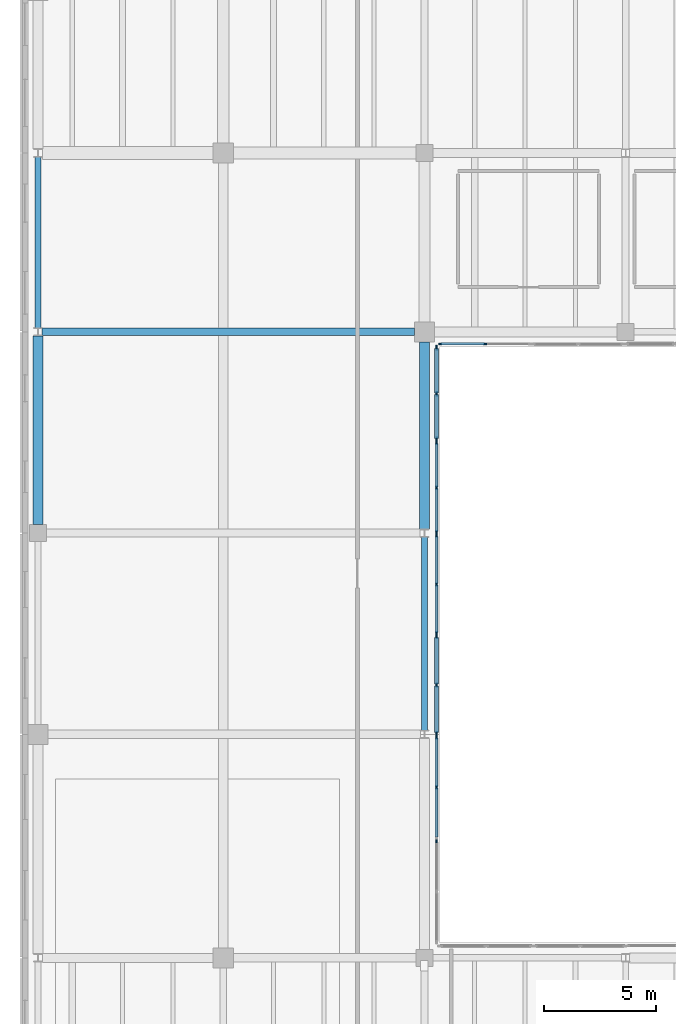
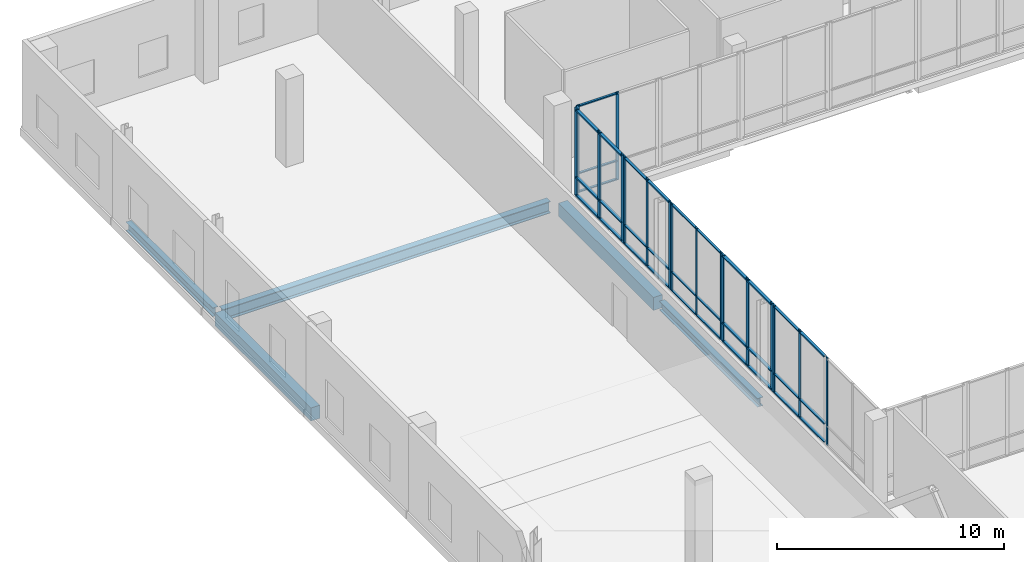
# One storey, part 29 of 73: 50 members, 5 beams, 7 elements without a shape of their own.
"""IFC4 building model written with IfcOpenShell, lengths in metres."""

from ifc_helpers import new_model, si_unit, direction, frame, origin, origin_2d, place, context, subcontext, project, spatial, rectangle, i_section, extrude, material, material_profile, profile_set, type_object, element, aggregate, save


model = new_model("IFC4")

# Units and contexts
model_context = context("Model", 3, precision=1e-05, world=origin(), true_north=direction((0.0, 1.0)))
body_context = subcontext(model_context, "Body", "Model", "MODEL_VIEW")
ifc_project = project(units=[si_unit("LENGTHUNIT", "METRE"), si_unit("AREAUNIT", "SQUARE_METRE"), si_unit("VOLUMEUNIT", "CUBIC_METRE"), si_unit("PLANEANGLEUNIT", "RADIAN"), si_unit("MASSUNIT", "GRAM", prefix="KILO")], contexts=[model_context])

# Site, building, storey
site_placement = place(None, origin())
site = spatial("IfcSite", under=ifc_project, at=site_placement, CompositionType="ELEMENT")
building_placement = place(site_placement, origin())
building = spatial("IfcBuilding", under=site, at=building_placement, Name="Trimount Lyric Opera House", CompositionType="ELEMENT")
storey_placement = place(building_placement, frame((0.0, 0.0, 10.0)))
storey = spatial("IfcBuildingStorey", under=building, at=storey_placement, Name="L02", CompositionType="ELEMENT", Elevation=10.0)

# Beam
ifc_material_1 = material(Name="Steel ASTM A992 Grade 50", Category="steel")
ifc_material_profile_1 = material_profile(ifc_material_1, i_section(OverallWidth=0.327880859375, OverallDepth=0.626953125, WebThickness=0.0166015625, FlangeThickness=0.027587890625, FilletRadius=0.01611328125, at=origin_2d()), Name="W24X146")
ifc_profile_set_1 = profile_set([ifc_material_profile_1], Name="Steel ASTM A992 Grade 50")
beam_type_1 = type_object("IfcBeamType", Name="B-10", PredefinedType="BEAM", material=ifc_profile_set_1)
beam_1_placement = place(storey_placement, frame((0.904052734375, 102.0, -0.593505859375), z_axis=(1.0, 0.0, 0.0), x_axis=(0.0, 1.0, 0.0)))
element("IfcBeam", 1, at=beam_1_placement, inside=storey, type_object=beam_type_1, Name="L02 girder X-0788", PredefinedType="BEAM", context=body_context, shape_type="SweptSolid", body=[
    extrude(i_section(OverallWidth=0.327880859375, OverallDepth=0.626953125, WebThickness=0.0166015625, FlangeThickness=0.027587890625, FilletRadius=0.01611328125, at=origin_2d()), origin(), (0.0, 0.0, 1.0), 16.64599609375),
])

# Curtain wall, members
ifc_material_2 = material(Name="Thermally Broken Aluminium and Low-E Glass", Category="aluminium")
curtain_wall_type = type_object("IfcCurtainWallType", Name="CW-03", PredefinedType="NOTDEFINED", material=ifc_material_2)
curtain_wall_1_placement = place(storey_placement, origin())
curtain_wall_1 = element("IfcCurtainWall", 2, at=curtain_wall_1_placement, inside=storey, type_object=curtain_wall_type, Name="L02 curtain wall 216", PredefinedType="NOTDEFINED")
ifc_material_3 = material(Name="Anodised Aluminium 6063-T6", Category="aluminium")
ifc_material_profile_2 = material_profile(ifc_material_3, rectangle(XDim=0.070068359375, YDim=0.219970703125, at=origin_2d()), Name="ALU-MULL-70X220")
ifc_profile_set_2 = profile_set([ifc_material_profile_2], Name="Anodised Aluminium 6063-T6")
member_type_1 = type_object("IfcMemberType", Name="ML-01", PredefinedType="MULLION", material=ifc_profile_set_2)
member_1_placement = place(storey_placement, frame((18.5400390625, 101.284912109375, 0.0), z_axis=(0.0, 0.0, 1.0), x_axis=(1.0, 0.0, 0.0)))
member_1 = element("IfcMember", 3, at=member_1_placement, type_object=member_type_1, Name="CW-03 mullion 1", PredefinedType="MULLION", context=body_context, shape_type="SweptSolid", body=[
    extrude(rectangle(XDim=0.070068359375, YDim=0.219970703125, at=origin_2d()), origin(), (0.0, 0.0, 1.0), 4.719970703125),
])
member_2_placement = place(storey_placement, frame((18.5400390625, 99.239990234375, 0.0), z_axis=(0.0, 0.0, 1.0), x_axis=(1.0, 0.0, 0.0)))
member_2 = element("IfcMember", 4, at=member_2_placement, type_object=member_type_1, Name="CW-03 mullion 2", PredefinedType="MULLION", context=body_context, shape_type="SweptSolid", body=[
    extrude(rectangle(XDim=0.070068359375, YDim=0.219970703125, at=origin_2d()), origin(), (0.0, 0.0, 1.0), 4.719970703125),
])
member_3_placement = place(storey_placement, frame((18.5400390625, 97.195068359375, 0.0), z_axis=(0.0, 0.0, 1.0), x_axis=(1.0, 0.0, 0.0)))
member_3 = element("IfcMember", 5, at=member_3_placement, type_object=member_type_1, Name="CW-03 mullion 3", PredefinedType="MULLION", context=body_context, shape_type="SweptSolid", body=[
    extrude(rectangle(XDim=0.070068359375, YDim=0.219970703125, at=origin_2d()), origin(), (0.0, 0.0, 1.0), 4.719970703125),
])

curtain_wall_2_placement = place(storey_placement, origin())
curtain_wall_2 = element("IfcCurtainWall", 6, at=curtain_wall_2_placement, inside=storey, type_object=curtain_wall_type, Name="L02 curtain wall 219", PredefinedType="NOTDEFINED")
member_4_placement = place(storey_placement, frame((18.5400390625, 88.375, 0.0), z_axis=(0.0, 0.0, 1.0), x_axis=(1.0, 0.0, 0.0)))
member_4 = element("IfcMember", 7, at=member_4_placement, type_object=member_type_1, Name="CW-03 mullion 1", PredefinedType="MULLION", context=body_context, shape_type="SweptSolid", body=[
    extrude(rectangle(XDim=0.070068359375, YDim=0.219970703125, at=origin_2d()), origin(), (0.0, 0.0, 1.0), 4.719970703125),
])
member_5_placement = place(storey_placement, frame((18.5400390625, 86.205078125, 0.0), z_axis=(0.0, 0.0, 1.0), x_axis=(1.0, 0.0, 0.0)))
member_5 = element("IfcMember", 8, at=member_5_placement, type_object=member_type_1, Name="CW-03 mullion 2", PredefinedType="MULLION", context=body_context, shape_type="SweptSolid", body=[
    extrude(rectangle(XDim=0.070068359375, YDim=0.219970703125, at=origin_2d()), origin(), (0.0, 0.0, 1.0), 4.719970703125),
])
member_6_placement = place(storey_placement, frame((18.5400390625, 84.034912109375, 0.0), z_axis=(0.0, 0.0, 1.0), x_axis=(1.0, 0.0, 0.0)))
member_6 = element("IfcMember", 9, at=member_6_placement, type_object=member_type_1, Name="CW-03 mullion 3", PredefinedType="MULLION", context=body_context, shape_type="SweptSolid", body=[
    extrude(rectangle(XDim=0.070068359375, YDim=0.219970703125, at=origin_2d()), origin(), (0.0, 0.0, 1.0), 4.719970703125),
])

curtain_wall_3_placement = place(storey_placement, origin())
curtain_wall_3 = element("IfcCurtainWall", 10, at=curtain_wall_3_placement, inside=storey, type_object=curtain_wall_type, Name="L02 curtain wall 217", PredefinedType="NOTDEFINED")
ifc_material_4 = material(Name="Anodised Aluminium 6063-T6", Category="aluminium")
ifc_material_profile_3 = material_profile(ifc_material_4, rectangle(XDim=0.06494140625, YDim=0.179931640625, at=origin_2d()), Name="ALU-MULL-65X180")
ifc_profile_set_3 = profile_set([ifc_material_profile_3], Name="Anodised Aluminium 6063-T6")
member_type_2 = type_object("IfcMemberType", Name="ML-02", PredefinedType="MULLION", material=ifc_profile_set_3)
member_7_placement = place(storey_placement, frame((18.5400390625, 97.03759765625, 0.0), z_axis=(0.0, 0.0, 1.0), x_axis=(1.0, 0.0, 0.0)))
member_7 = element("IfcMember", 11, at=member_7_placement, type_object=member_type_2, Name="CW-03 mullion 1", PredefinedType="MULLION", context=body_context, shape_type="SweptSolid", body=[
    extrude(rectangle(XDim=0.06494140625, YDim=0.179931640625, at=origin_2d()), origin(), (0.0, 0.0, 1.0), 4.719970703125),
])
member_8_placement = place(storey_placement, frame((18.5400390625, 95.034912109375, 0.0), z_axis=(0.0, 0.0, 1.0), x_axis=(1.0, 0.0, 0.0)))
member_8 = element("IfcMember", 12, at=member_8_placement, type_object=member_type_2, Name="CW-03 mullion 2", PredefinedType="MULLION", context=body_context, shape_type="SweptSolid", body=[
    extrude(rectangle(XDim=0.06494140625, YDim=0.179931640625, at=origin_2d()), origin(), (0.0, 0.0, 1.0), 4.719970703125),
])
member_9_placement = place(storey_placement, frame((18.5400390625, 93.032470703125, 0.0), z_axis=(0.0, 0.0, 1.0), x_axis=(1.0, 0.0, 0.0)))
member_9 = element("IfcMember", 13, at=member_9_placement, type_object=member_type_2, Name="CW-03 mullion 3", PredefinedType="MULLION", context=body_context, shape_type="SweptSolid", body=[
    extrude(rectangle(XDim=0.06494140625, YDim=0.179931640625, at=origin_2d()), origin(), (0.0, 0.0, 1.0), 4.719970703125),
])

curtain_wall_4_placement = place(storey_placement, origin())
curtain_wall_4 = element("IfcCurtainWall", 14, at=curtain_wall_4_placement, inside=storey, type_object=curtain_wall_type, Name="L02 curtain wall 220", PredefinedType="NOTDEFINED")
member_10_placement = place(storey_placement, frame((18.5400390625, 83.87744140625, 0.0), z_axis=(0.0, 0.0, 1.0), x_axis=(1.0, 0.0, 0.0)))
member_10 = element("IfcMember", 15, at=member_10_placement, type_object=member_type_2, Name="CW-03 mullion 1", PredefinedType="MULLION", context=body_context, shape_type="SweptSolid", body=[
    extrude(rectangle(XDim=0.06494140625, YDim=0.179931640625, at=origin_2d()), origin(), (0.0, 0.0, 1.0), 4.719970703125),
])
member_11_placement = place(storey_placement, frame((18.5400390625, 81.625, 0.0), z_axis=(0.0, 0.0, 1.0), x_axis=(1.0, 0.0, 0.0)))
member_11 = element("IfcMember", 16, at=member_11_placement, type_object=member_type_2, Name="CW-03 mullion 2", PredefinedType="MULLION", context=body_context, shape_type="SweptSolid", body=[
    extrude(rectangle(XDim=0.06494140625, YDim=0.179931640625, at=origin_2d()), origin(), (0.0, 0.0, 1.0), 4.719970703125),
])

curtain_wall_5_placement = place(storey_placement, origin())
curtain_wall_5 = element("IfcCurtainWall", 17, at=curtain_wall_5_placement, inside=storey, type_object=curtain_wall_type, Name="L02 curtain wall 215", PredefinedType="NOTDEFINED")
ifc_material_5 = material(Name="Anodised Aluminium 6063-T6", Category="aluminium")
ifc_material_profile_4 = material_profile(ifc_material_5, rectangle(XDim=0.06005859375, YDim=0.14990234375, at=origin_2d()), Name="ALU-MULL-60X150")
ifc_profile_set_4 = profile_set([ifc_material_profile_4], Name="Anodised Aluminium 6063-T6")
member_type_3 = type_object("IfcMemberType", Name="ML-03", PredefinedType="MULLION", material=ifc_profile_set_4)
member_12_placement = place(storey_placement, frame((20.715087890625, 101.4599609375, 0.0), z_axis=(0.0, 0.0, 1.0), x_axis=(0.0, -1.0, 0.0)))
member_12 = element("IfcMember", 18, at=member_12_placement, type_object=member_type_3, Name="CW-03 mullion 2", PredefinedType="MULLION", context=body_context, shape_type="SweptSolid", body=[
    extrude(rectangle(XDim=0.06005859375, YDim=0.14990234375, at=origin_2d()), origin(), (0.0, 0.0, 1.0), 4.719970703125),
])
member_13_placement = place(storey_placement, frame((18.7099609375, 101.4599609375, 0.0), z_axis=(0.0, 0.0, 1.0), x_axis=(0.0, -1.0, 0.0)))
member_13 = element("IfcMember", 19, at=member_13_placement, type_object=member_type_3, Name="CW-03 mullion 3", PredefinedType="MULLION", context=body_context, shape_type="SweptSolid", body=[
    extrude(rectangle(XDim=0.06005859375, YDim=0.14990234375, at=origin_2d()), origin(), (0.0, 0.0, 1.0), 4.719970703125),
])

curtain_wall_6_placement = place(storey_placement, origin())
curtain_wall_6 = element("IfcCurtainWall", 20, at=curtain_wall_6_placement, inside=storey, type_object=curtain_wall_type, Name="L02 curtain wall 218", PredefinedType="NOTDEFINED")
member_14_placement = place(storey_placement, frame((18.5400390625, 92.8798828125, 0.0), z_axis=(0.0, 0.0, 1.0), x_axis=(1.0, 0.0, 0.0)))
member_14 = element("IfcMember", 21, at=member_14_placement, type_object=member_type_3, Name="CW-03 mullion 1", PredefinedType="MULLION", context=body_context, shape_type="SweptSolid", body=[
    extrude(rectangle(XDim=0.06005859375, YDim=0.14990234375, at=origin_2d()), origin(), (0.0, 0.0, 1.0), 4.719970703125),
])
member_15_placement = place(storey_placement, frame((18.5400390625, 90.705078125, 0.0), z_axis=(0.0, 0.0, 1.0), x_axis=(1.0, 0.0, 0.0)))
member_15 = element("IfcMember", 22, at=member_15_placement, type_object=member_type_3, Name="CW-03 mullion 2", PredefinedType="MULLION", context=body_context, shape_type="SweptSolid", body=[
    extrude(rectangle(XDim=0.06005859375, YDim=0.14990234375, at=origin_2d()), origin(), (0.0, 0.0, 1.0), 4.719970703125),
])
member_16_placement = place(storey_placement, frame((18.5400390625, 88.530029296875, 0.0), z_axis=(0.0, 0.0, 1.0), x_axis=(1.0, 0.0, 0.0)))
member_16 = element("IfcMember", 23, at=member_16_placement, type_object=member_type_3, Name="CW-03 mullion 3", PredefinedType="MULLION", context=body_context, shape_type="SweptSolid", body=[
    extrude(rectangle(XDim=0.06005859375, YDim=0.14990234375, at=origin_2d()), origin(), (0.0, 0.0, 1.0), 4.719970703125),
])

# Curtain wall, member
curtain_wall_7_placement = place(storey_placement, origin())
curtain_wall_7 = element("IfcCurtainWall", 24, at=curtain_wall_7_placement, inside=storey, type_object=curtain_wall_type, Name="L02 curtain wall 221", PredefinedType="NOTDEFINED")
member_17_placement = place(storey_placement, frame((18.5400390625, 79.219970703125, 0.0), z_axis=(0.0, 0.0, 1.0), x_axis=(1.0, 0.0, 0.0)))
member_17 = element("IfcMember", 25, at=member_17_placement, type_object=member_type_3, Name="CW-03 mullion 1", PredefinedType="MULLION", context=body_context, shape_type="SweptSolid", body=[
    extrude(rectangle(XDim=0.06005859375, YDim=0.14990234375, at=origin_2d()), origin(), (0.0, 0.0, 1.0), 4.719970703125),
])
aggregate(curtain_wall_7, [member_17])

# Beams
ifc_material_6 = material(Name="Steel ASTM A992 Grade 50", Category="steel")
ifc_material_profile_5 = material_profile(ifc_material_6, i_section(OverallWidth=0.281982421875, OverallDepth=0.467041015625, WebThickness=0.01220703125, FlangeThickness=0.01953125, FilletRadius=0.012939453125, at=origin_2d()), Name="W18X86")
ifc_profile_set_5 = profile_set([ifc_material_profile_5], Name="Steel ASTM A992 Grade 50")
beam_type_2 = type_object("IfcBeamType", Name="SP-01", PredefinedType="SPANDREL", material=ifc_profile_set_5)
beam_2_placement = place(storey_placement, frame((0.719970703125, 102.177978515625, -0.513427734375), z_axis=(0.0, 1.0, 0.0), x_axis=(-1.0, 0.0, 0.0)))
element("IfcBeam", 26, at=beam_2_placement, inside=storey, type_object=beam_type_2, Name="L02 girder Y-0833", PredefinedType="SPANDREL", context=body_context, shape_type="SweptSolid", body=[
    extrude(i_section(OverallWidth=0.281982421875, OverallDepth=0.467041015625, WebThickness=0.01220703125, FlangeThickness=0.01953125, FilletRadius=0.012939453125, at=origin_2d()), origin(), (0.0, 0.0, 1.0), 7.637939453125),
])
beam_3_placement = place(storey_placement, frame((18.0, 84.177978515625, -0.513427734375), z_axis=(0.0, 1.0, 0.0), x_axis=(-1.0, 0.0, 0.0)))
element("IfcBeam", 27, at=beam_3_placement, inside=storey, type_object=beam_type_2, Name="L02 girder Y-0841", PredefinedType="SPANDREL", context=body_context, shape_type="SweptSolid", body=[
    extrude(i_section(OverallWidth=0.281982421875, OverallDepth=0.467041015625, WebThickness=0.01220703125, FlangeThickness=0.01953125, FilletRadius=0.012939453125, at=origin_2d()), origin(), (0.0, 0.0, 1.0), 8.637939453125),
])
ifc_material_7 = material(Name="Concrete C40/50", Category="concrete")
ifc_material_profile_6 = material_profile(ifc_material_7, rectangle(XDim=0.449951171875, YDim=0.699951171875, at=origin_2d()), Name="RC450X700")
ifc_profile_set_6 = profile_set([ifc_material_profile_6], Name="Concrete C40/50")
beam_type_3 = type_object("IfcBeamType", Name="SP-02", PredefinedType="SPANDREL", material=ifc_profile_set_6)
beam_4_placement = place(storey_placement, frame((0.719970703125, 93.375, -0.6298828125), z_axis=(0.0, 1.0, 0.0), x_axis=(-1.0, 0.0, 0.0)))
element("IfcBeam", 28, at=beam_4_placement, inside=storey, type_object=beam_type_3, Name="L02 girder Y-0832", PredefinedType="SPANDREL", context=body_context, shape_type="SweptSolid", body=[
    extrude(rectangle(XDim=0.449951171875, YDim=0.699951171875, at=origin_2d()), origin(), (0.0, 0.0, 1.0), 8.447021484375),
])
beam_5_placement = place(storey_placement, frame((18.0, 93.18408203125, -0.6298828125), z_axis=(0.0, 1.0, 0.0), x_axis=(-1.0, 0.0, 0.0)))
element("IfcBeam", 29, at=beam_5_placement, inside=storey, type_object=beam_type_3, Name="L02 girder Y-0842", PredefinedType="SPANDREL", context=body_context, shape_type="SweptSolid", body=[
    extrude(rectangle(XDim=0.449951171875, YDim=0.699951171875, at=origin_2d()), origin(), (0.0, 0.0, 1.0), 8.365966796875),
])

# Member
ifc_material_8 = material(Name="Anodised Aluminium 6063-T6", Category="aluminium")
ifc_material_profile_7 = material_profile(ifc_material_8, rectangle(XDim=0.159912109375, YDim=0.070068359375, at=origin_2d()), Name="ALU-TRAN-70X160")
ifc_profile_set_7 = profile_set([ifc_material_profile_7], Name="Anodised Aluminium 6063-T6")
member_type_4 = type_object("IfcMemberType", Name="TR-01", PredefinedType="USERDEFINED", material=ifc_profile_set_7)
member_18_placement = place(storey_placement, frame((18.5400390625, 101.25, 0.080078125), z_axis=(0.0, -1.0, 0.0), x_axis=(1.0, 0.0, 0.0)))
member_18 = element("IfcMember", 30, at=member_18_placement, type_object=member_type_4, Name="CW-03 transom 1.1", ObjectType="TRANSOM", PredefinedType="USERDEFINED", context=body_context, shape_type="SweptSolid", body=[
    extrude(rectangle(XDim=0.159912109375, YDim=0.070068359375, at=origin_2d()), origin(), (0.0, 0.0, 1.0), 1.97509765625),
])

member_19_placement = place(storey_placement, frame((18.5400390625, 101.25, 1.050048828125), z_axis=(0.0, -1.0, 0.0), x_axis=(1.0, 0.0, 0.0)))
member_19 = element("IfcMember", 31, at=member_19_placement, type_object=member_type_4, Name="CW-03 transom 1.2", ObjectType="TRANSOM", PredefinedType="USERDEFINED", context=body_context, shape_type="SweptSolid", body=[
    extrude(rectangle(XDim=0.159912109375, YDim=0.070068359375, at=origin_2d()), origin(), (0.0, 0.0, 1.0), 1.97509765625),
])

member_20_placement = place(storey_placement, frame((18.5400390625, 101.25, 4.639892578125), z_axis=(0.0, -1.0, 0.0), x_axis=(1.0, 0.0, 0.0)))
member_20 = element("IfcMember", 32, at=member_20_placement, type_object=member_type_4, Name="CW-03 transom 1.3", ObjectType="TRANSOM", PredefinedType="USERDEFINED", context=body_context, shape_type="SweptSolid", body=[
    extrude(rectangle(XDim=0.159912109375, YDim=0.070068359375, at=origin_2d()), origin(), (0.0, 0.0, 1.0), 1.97509765625),
])

member_21_placement = place(storey_placement, frame((18.5400390625, 99.205078125, 0.080078125), z_axis=(0.0, -1.0, 0.0), x_axis=(1.0, 0.0, 0.0)))
member_21 = element("IfcMember", 33, at=member_21_placement, type_object=member_type_4, Name="CW-03 transom 2.1", ObjectType="TRANSOM", PredefinedType="USERDEFINED", context=body_context, shape_type="SweptSolid", body=[
    extrude(rectangle(XDim=0.159912109375, YDim=0.070068359375, at=origin_2d()), origin(), (0.0, 0.0, 1.0), 1.97509765625),
])

member_22_placement = place(storey_placement, frame((18.5400390625, 99.205078125, 1.050048828125), z_axis=(0.0, -1.0, 0.0), x_axis=(1.0, 0.0, 0.0)))
member_22 = element("IfcMember", 34, at=member_22_placement, type_object=member_type_4, Name="CW-03 transom 2.2", ObjectType="TRANSOM", PredefinedType="USERDEFINED", context=body_context, shape_type="SweptSolid", body=[
    extrude(rectangle(XDim=0.159912109375, YDim=0.070068359375, at=origin_2d()), origin(), (0.0, 0.0, 1.0), 1.97509765625),
])

member_23_placement = place(storey_placement, frame((18.5400390625, 99.205078125, 4.639892578125), z_axis=(0.0, -1.0, 0.0), x_axis=(1.0, 0.0, 0.0)))
member_23 = element("IfcMember", 35, at=member_23_placement, type_object=member_type_4, Name="CW-03 transom 2.3", ObjectType="TRANSOM", PredefinedType="USERDEFINED", context=body_context, shape_type="SweptSolid", body=[
    extrude(rectangle(XDim=0.159912109375, YDim=0.070068359375, at=origin_2d()), origin(), (0.0, 0.0, 1.0), 1.97509765625),
])

aggregate(curtain_wall_1, [member_1, member_2, member_3, member_18, member_19, member_20, member_21, member_22, member_23])

member_24_placement = place(storey_placement, frame((18.5400390625, 88.340087890625, 0.080078125), z_axis=(0.0, -1.0, 0.0), x_axis=(1.0, 0.0, 0.0)))
member_24 = element("IfcMember", 36, at=member_24_placement, type_object=member_type_4, Name="CW-03 transom 1.1", ObjectType="TRANSOM", PredefinedType="USERDEFINED", context=body_context, shape_type="SweptSolid", body=[
    extrude(rectangle(XDim=0.159912109375, YDim=0.070068359375, at=origin_2d()), origin(), (0.0, 0.0, 1.0), 2.10009765625),
])

member_25_placement = place(storey_placement, frame((18.5400390625, 88.340087890625, 1.050048828125), z_axis=(0.0, -1.0, 0.0), x_axis=(1.0, 0.0, 0.0)))
member_25 = element("IfcMember", 37, at=member_25_placement, type_object=member_type_4, Name="CW-03 transom 1.2", ObjectType="TRANSOM", PredefinedType="USERDEFINED", context=body_context, shape_type="SweptSolid", body=[
    extrude(rectangle(XDim=0.159912109375, YDim=0.070068359375, at=origin_2d()), origin(), (0.0, 0.0, 1.0), 2.10009765625),
])

member_26_placement = place(storey_placement, frame((18.5400390625, 88.340087890625, 4.639892578125), z_axis=(0.0, -1.0, 0.0), x_axis=(1.0, 0.0, 0.0)))
member_26 = element("IfcMember", 38, at=member_26_placement, type_object=member_type_4, Name="CW-03 transom 1.3", ObjectType="TRANSOM", PredefinedType="USERDEFINED", context=body_context, shape_type="SweptSolid", body=[
    extrude(rectangle(XDim=0.159912109375, YDim=0.070068359375, at=origin_2d()), origin(), (0.0, 0.0, 1.0), 2.10009765625),
])

member_27_placement = place(storey_placement, frame((18.5400390625, 86.169921875, 0.080078125), z_axis=(0.0, -1.0, 0.0), x_axis=(1.0, 0.0, 0.0)))
member_27 = element("IfcMember", 39, at=member_27_placement, type_object=member_type_4, Name="CW-03 transom 2.1", ObjectType="TRANSOM", PredefinedType="USERDEFINED", context=body_context, shape_type="SweptSolid", body=[
    extrude(rectangle(XDim=0.159912109375, YDim=0.070068359375, at=origin_2d()), origin(), (0.0, 0.0, 1.0), 2.099853515625),
])

member_28_placement = place(storey_placement, frame((18.5400390625, 86.169921875, 1.050048828125), z_axis=(0.0, -1.0, 0.0), x_axis=(1.0, 0.0, 0.0)))
member_28 = element("IfcMember", 40, at=member_28_placement, type_object=member_type_4, Name="CW-03 transom 2.2", ObjectType="TRANSOM", PredefinedType="USERDEFINED", context=body_context, shape_type="SweptSolid", body=[
    extrude(rectangle(XDim=0.159912109375, YDim=0.070068359375, at=origin_2d()), origin(), (0.0, 0.0, 1.0), 2.099853515625),
])

member_29_placement = place(storey_placement, frame((18.5400390625, 86.169921875, 4.639892578125), z_axis=(0.0, -1.0, 0.0), x_axis=(1.0, 0.0, 0.0)))
member_29 = element("IfcMember", 41, at=member_29_placement, type_object=member_type_4, Name="CW-03 transom 2.3", ObjectType="TRANSOM", PredefinedType="USERDEFINED", context=body_context, shape_type="SweptSolid", body=[
    extrude(rectangle(XDim=0.159912109375, YDim=0.070068359375, at=origin_2d()), origin(), (0.0, 0.0, 1.0), 2.099853515625),
])

aggregate(curtain_wall_2, [member_4, member_5, member_6, member_24, member_25, member_26, member_27, member_28, member_29])

ifc_material_9 = material(Name="Anodised Aluminium 6063-T6", Category="aluminium")
ifc_material_profile_8 = material_profile(ifc_material_9, rectangle(XDim=0.135009765625, YDim=0.06494140625, at=origin_2d()), Name="ALU-TRAN-65X135")
ifc_profile_set_8 = profile_set([ifc_material_profile_8], Name="Anodised Aluminium 6063-T6")
member_type_5 = type_object("IfcMemberType", Name="TR-02", PredefinedType="USERDEFINED", material=ifc_profile_set_8)
member_30_placement = place(storey_placement, frame((18.5400390625, 97.0048828125, 0.0673828125), z_axis=(0.0, -1.0, 0.0), x_axis=(1.0, 0.0, 0.0)))
member_30 = element("IfcMember", 42, at=member_30_placement, type_object=member_type_5, Name="CW-03 transom 1.1", ObjectType="TRANSOM", PredefinedType="USERDEFINED", context=body_context, shape_type="SweptSolid", body=[
    extrude(rectangle(XDim=0.135009765625, YDim=0.06494140625, at=origin_2d()), origin(), (0.0, 0.0, 1.0), 1.9375),
])

member_31_placement = place(storey_placement, frame((18.5400390625, 97.0048828125, 1.050048828125), z_axis=(0.0, -1.0, 0.0), x_axis=(1.0, 0.0, 0.0)))
member_31 = element("IfcMember", 43, at=member_31_placement, type_object=member_type_5, Name="CW-03 transom 1.2", ObjectType="TRANSOM", PredefinedType="USERDEFINED", context=body_context, shape_type="SweptSolid", body=[
    extrude(rectangle(XDim=0.135009765625, YDim=0.06494140625, at=origin_2d()), origin(), (0.0, 0.0, 1.0), 1.9375),
])

member_32_placement = place(storey_placement, frame((18.5400390625, 97.0048828125, 4.652587890625), z_axis=(0.0, -1.0, 0.0), x_axis=(1.0, 0.0, 0.0)))
member_32 = element("IfcMember", 44, at=member_32_placement, type_object=member_type_5, Name="CW-03 transom 1.3", ObjectType="TRANSOM", PredefinedType="USERDEFINED", context=body_context, shape_type="SweptSolid", body=[
    extrude(rectangle(XDim=0.135009765625, YDim=0.06494140625, at=origin_2d()), origin(), (0.0, 0.0, 1.0), 1.9375),
])

member_33_placement = place(storey_placement, frame((18.5400390625, 95.00244140625, 0.0673828125), z_axis=(0.0, -1.0, 0.0), x_axis=(1.0, 0.0, 0.0)))
member_33 = element("IfcMember", 45, at=member_33_placement, type_object=member_type_5, Name="CW-03 transom 2.1", ObjectType="TRANSOM", PredefinedType="USERDEFINED", context=body_context, shape_type="SweptSolid", body=[
    extrude(rectangle(XDim=0.135009765625, YDim=0.06494140625, at=origin_2d()), origin(), (0.0, 0.0, 1.0), 1.9375),
])

member_34_placement = place(storey_placement, frame((18.5400390625, 95.00244140625, 1.050048828125), z_axis=(0.0, -1.0, 0.0), x_axis=(1.0, 0.0, 0.0)))
member_34 = element("IfcMember", 46, at=member_34_placement, type_object=member_type_5, Name="CW-03 transom 2.2", ObjectType="TRANSOM", PredefinedType="USERDEFINED", context=body_context, shape_type="SweptSolid", body=[
    extrude(rectangle(XDim=0.135009765625, YDim=0.06494140625, at=origin_2d()), origin(), (0.0, 0.0, 1.0), 1.9375),
])

member_35_placement = place(storey_placement, frame((18.5400390625, 95.00244140625, 4.652587890625), z_axis=(0.0, -1.0, 0.0), x_axis=(1.0, 0.0, 0.0)))
member_35 = element("IfcMember", 47, at=member_35_placement, type_object=member_type_5, Name="CW-03 transom 2.3", ObjectType="TRANSOM", PredefinedType="USERDEFINED", context=body_context, shape_type="SweptSolid", body=[
    extrude(rectangle(XDim=0.135009765625, YDim=0.06494140625, at=origin_2d()), origin(), (0.0, 0.0, 1.0), 1.9375),
])

aggregate(curtain_wall_3, [member_7, member_8, member_9, member_30, member_31, member_32, member_33, member_34, member_35])

member_36_placement = place(storey_placement, frame((18.5400390625, 83.844970703125, 0.0673828125), z_axis=(0.0, -1.0, 0.0), x_axis=(1.0, 0.0, 0.0)))
member_36 = element("IfcMember", 48, at=member_36_placement, type_object=member_type_5, Name="CW-03 transom 1.1", ObjectType="TRANSOM", PredefinedType="USERDEFINED", context=body_context, shape_type="SweptSolid", body=[
    extrude(rectangle(XDim=0.135009765625, YDim=0.06494140625, at=origin_2d()), origin(), (0.0, 0.0, 1.0), 2.1875),
])

member_37_placement = place(storey_placement, frame((18.5400390625, 83.844970703125, 1.050048828125), z_axis=(0.0, -1.0, 0.0), x_axis=(1.0, 0.0, 0.0)))
member_37 = element("IfcMember", 49, at=member_37_placement, type_object=member_type_5, Name="CW-03 transom 1.2", ObjectType="TRANSOM", PredefinedType="USERDEFINED", context=body_context, shape_type="SweptSolid", body=[
    extrude(rectangle(XDim=0.135009765625, YDim=0.06494140625, at=origin_2d()), origin(), (0.0, 0.0, 1.0), 2.1875),
])

member_38_placement = place(storey_placement, frame((18.5400390625, 83.844970703125, 4.652587890625), z_axis=(0.0, -1.0, 0.0), x_axis=(1.0, 0.0, 0.0)))
member_38 = element("IfcMember", 50, at=member_38_placement, type_object=member_type_5, Name="CW-03 transom 1.3", ObjectType="TRANSOM", PredefinedType="USERDEFINED", context=body_context, shape_type="SweptSolid", body=[
    extrude(rectangle(XDim=0.135009765625, YDim=0.06494140625, at=origin_2d()), origin(), (0.0, 0.0, 1.0), 2.1875),
])

member_39_placement = place(storey_placement, frame((18.5400390625, 81.592529296875, 0.0673828125), z_axis=(0.0, -1.0, 0.0), x_axis=(1.0, 0.0, 0.0)))
member_39 = element("IfcMember", 51, at=member_39_placement, type_object=member_type_5, Name="CW-03 transom 2.1", ObjectType="TRANSOM", PredefinedType="USERDEFINED", context=body_context, shape_type="SweptSolid", body=[
    extrude(rectangle(XDim=0.135009765625, YDim=0.06494140625, at=origin_2d()), origin(), (0.0, 0.0, 1.0), 2.1875),
])

member_40_placement = place(storey_placement, frame((18.5400390625, 81.592529296875, 1.050048828125), z_axis=(0.0, -1.0, 0.0), x_axis=(1.0, 0.0, 0.0)))
member_40 = element("IfcMember", 52, at=member_40_placement, type_object=member_type_5, Name="CW-03 transom 2.2", ObjectType="TRANSOM", PredefinedType="USERDEFINED", context=body_context, shape_type="SweptSolid", body=[
    extrude(rectangle(XDim=0.135009765625, YDim=0.06494140625, at=origin_2d()), origin(), (0.0, 0.0, 1.0), 2.1875),
])

member_41_placement = place(storey_placement, frame((18.5400390625, 81.592529296875, 4.652587890625), z_axis=(0.0, -1.0, 0.0), x_axis=(1.0, 0.0, 0.0)))
member_41 = element("IfcMember", 53, at=member_41_placement, type_object=member_type_5, Name="CW-03 transom 2.3", ObjectType="TRANSOM", PredefinedType="USERDEFINED", context=body_context, shape_type="SweptSolid", body=[
    extrude(rectangle(XDim=0.135009765625, YDim=0.06494140625, at=origin_2d()), origin(), (0.0, 0.0, 1.0), 2.1875),
])

aggregate(curtain_wall_4, [member_10, member_11, member_36, member_37, member_38, member_39, member_40, member_41])

ifc_material_10 = material(Name="Anodised Aluminium 6063-T6", Category="aluminium")
ifc_material_profile_9 = material_profile(ifc_material_10, rectangle(XDim=0.114990234375, YDim=0.06005859375, at=origin_2d()), Name="ALU-TRAN-60X115")
ifc_profile_set_9 = profile_set([ifc_material_profile_9], Name="Anodised Aluminium 6063-T6")
member_type_6 = type_object("IfcMemberType", Name="TR-03", PredefinedType="USERDEFINED", material=ifc_profile_set_9)
member_42_placement = place(storey_placement, frame((20.68505859375, 101.4599609375, 0.0576171875), z_axis=(-1.0, 0.0, 0.0), x_axis=(0.0, -1.0, 0.0)))
member_42 = element("IfcMember", 54, at=member_42_placement, type_object=member_type_6, Name="CW-03 transom 2.1", ObjectType="TRANSOM", PredefinedType="USERDEFINED", context=body_context, shape_type="SweptSolid", body=[
    extrude(rectangle(XDim=0.114990234375, YDim=0.06005859375, at=origin_2d()), origin(), (0.0, 0.0, 1.0), 1.945068359375),
])

member_43_placement = place(storey_placement, frame((20.68505859375, 101.4599609375, 1.050048828125), z_axis=(-1.0, 0.0, 0.0), x_axis=(0.0, -1.0, 0.0)))
member_43 = element("IfcMember", 55, at=member_43_placement, type_object=member_type_6, Name="CW-03 transom 2.2", ObjectType="TRANSOM", PredefinedType="USERDEFINED", context=body_context, shape_type="SweptSolid", body=[
    extrude(rectangle(XDim=0.114990234375, YDim=0.06005859375, at=origin_2d()), origin(), (0.0, 0.0, 1.0), 1.945068359375),
])

member_44_placement = place(storey_placement, frame((20.68505859375, 101.4599609375, 4.66259765625), z_axis=(-1.0, 0.0, 0.0), x_axis=(0.0, -1.0, 0.0)))
member_44 = element("IfcMember", 56, at=member_44_placement, type_object=member_type_6, Name="CW-03 transom 2.3", ObjectType="TRANSOM", PredefinedType="USERDEFINED", context=body_context, shape_type="SweptSolid", body=[
    extrude(rectangle(XDim=0.114990234375, YDim=0.06005859375, at=origin_2d()), origin(), (0.0, 0.0, 1.0), 1.945068359375),
])

aggregate(curtain_wall_5, [member_12, member_13, member_42, member_43, member_44])

member_45_placement = place(storey_placement, frame((18.5400390625, 92.85009765625, 0.0576171875), z_axis=(0.0, -1.0, 0.0), x_axis=(1.0, 0.0, 0.0)))
member_45 = element("IfcMember", 57, at=member_45_placement, type_object=member_type_6, Name="CW-03 transom 1.1", ObjectType="TRANSOM", PredefinedType="USERDEFINED", context=body_context, shape_type="SweptSolid", body=[
    extrude(rectangle(XDim=0.114990234375, YDim=0.06005859375, at=origin_2d()), origin(), (0.0, 0.0, 1.0), 2.114990234375),
])

member_46_placement = place(storey_placement, frame((18.5400390625, 92.85009765625, 1.050048828125), z_axis=(0.0, -1.0, 0.0), x_axis=(1.0, 0.0, 0.0)))
member_46 = element("IfcMember", 58, at=member_46_placement, type_object=member_type_6, Name="CW-03 transom 1.2", ObjectType="TRANSOM", PredefinedType="USERDEFINED", context=body_context, shape_type="SweptSolid", body=[
    extrude(rectangle(XDim=0.114990234375, YDim=0.06005859375, at=origin_2d()), origin(), (0.0, 0.0, 1.0), 2.114990234375),
])

member_47_placement = place(storey_placement, frame((18.5400390625, 92.85009765625, 4.66259765625), z_axis=(0.0, -1.0, 0.0), x_axis=(1.0, 0.0, 0.0)))
member_47 = element("IfcMember", 59, at=member_47_placement, type_object=member_type_6, Name="CW-03 transom 1.3", ObjectType="TRANSOM", PredefinedType="USERDEFINED", context=body_context, shape_type="SweptSolid", body=[
    extrude(rectangle(XDim=0.114990234375, YDim=0.06005859375, at=origin_2d()), origin(), (0.0, 0.0, 1.0), 2.114990234375),
])

member_48_placement = place(storey_placement, frame((18.5400390625, 90.675048828125, 0.0576171875), z_axis=(0.0, -1.0, 0.0), x_axis=(1.0, 0.0, 0.0)))
member_48 = element("IfcMember", 60, at=member_48_placement, type_object=member_type_6, Name="CW-03 transom 2.1", ObjectType="TRANSOM", PredefinedType="USERDEFINED", context=body_context, shape_type="SweptSolid", body=[
    extrude(rectangle(XDim=0.114990234375, YDim=0.06005859375, at=origin_2d()), origin(), (0.0, 0.0, 1.0), 2.114990234375),
])

member_49_placement = place(storey_placement, frame((18.5400390625, 90.675048828125, 1.050048828125), z_axis=(0.0, -1.0, 0.0), x_axis=(1.0, 0.0, 0.0)))
member_49 = element("IfcMember", 61, at=member_49_placement, type_object=member_type_6, Name="CW-03 transom 2.2", ObjectType="TRANSOM", PredefinedType="USERDEFINED", context=body_context, shape_type="SweptSolid", body=[
    extrude(rectangle(XDim=0.114990234375, YDim=0.06005859375, at=origin_2d()), origin(), (0.0, 0.0, 1.0), 2.114990234375),
])

member_50_placement = place(storey_placement, frame((18.5400390625, 90.675048828125, 4.66259765625), z_axis=(0.0, -1.0, 0.0), x_axis=(1.0, 0.0, 0.0)))
member_50 = element("IfcMember", 62, at=member_50_placement, type_object=member_type_6, Name="CW-03 transom 2.3", ObjectType="TRANSOM", PredefinedType="USERDEFINED", context=body_context, shape_type="SweptSolid", body=[
    extrude(rectangle(XDim=0.114990234375, YDim=0.06005859375, at=origin_2d()), origin(), (0.0, 0.0, 1.0), 2.114990234375),
])

aggregate(curtain_wall_6, [member_14, member_15, member_16, member_45, member_46, member_47, member_48, member_49, member_50])

save(model, "model.ifc")
